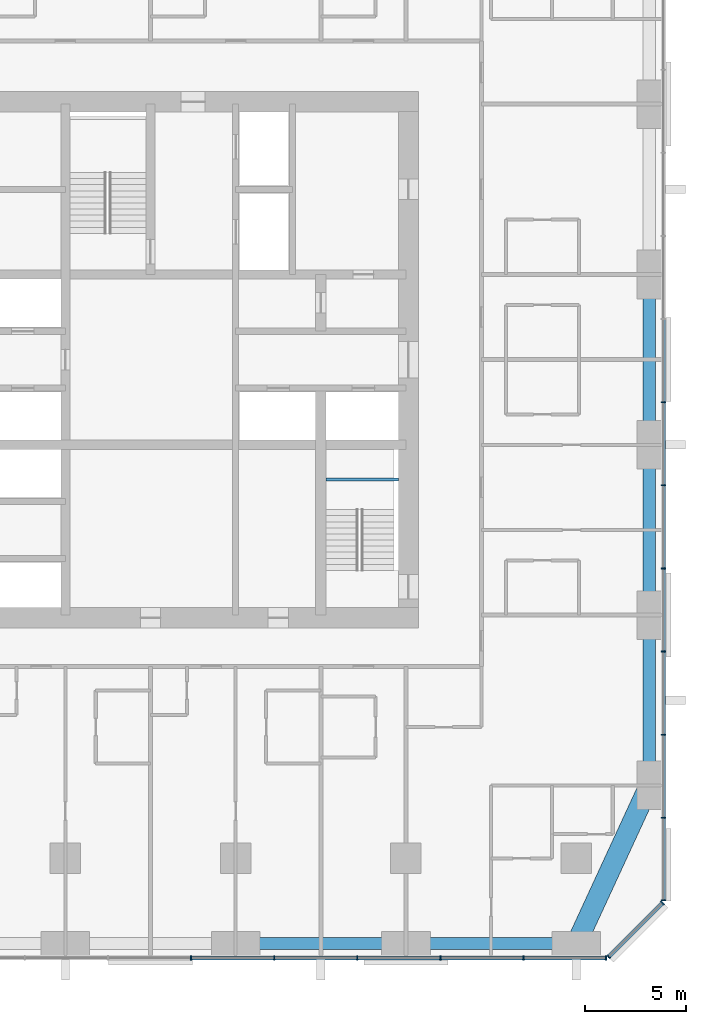
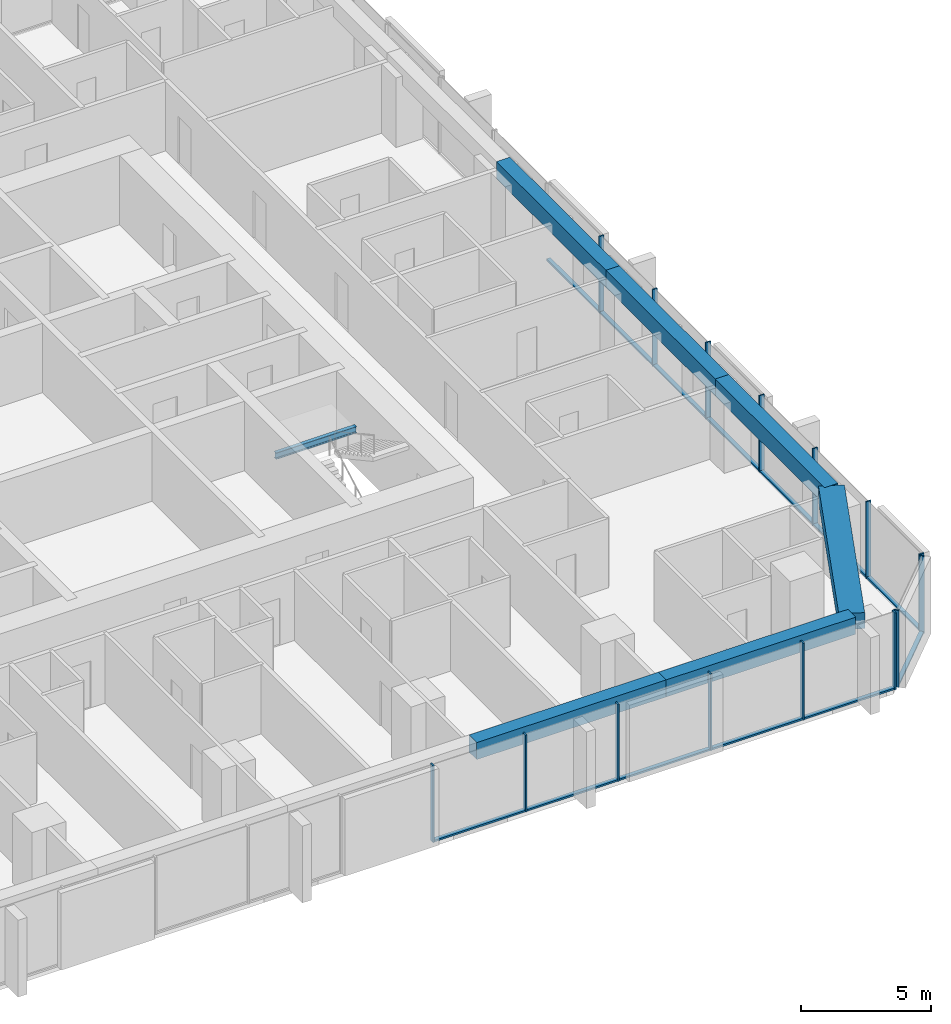
# One storey, part 4 of 14: 28 members, 7 beams, 3 elements without a shape of their own.
"""IFC4 building model written with IfcOpenShell, lengths in metres."""

from ifc_helpers import new_model, si_unit, direction, frame, origin, origin_2d, place, context, subcontext, project, spatial, rectangle, i_section, extrude, material, material_profile, profile_set, type_object, element, aggregate, save


model = new_model("IFC4")

# Units and contexts
model_context = context("Model", 3, precision=1e-05, world=origin(), true_north=direction((0.0, 1.0)))
body_context = subcontext(model_context, "Body", "Model", "MODEL_VIEW")
ifc_project = project(units=[si_unit("LENGTHUNIT", "METRE"), si_unit("AREAUNIT", "SQUARE_METRE"), si_unit("VOLUMEUNIT", "CUBIC_METRE"), si_unit("PLANEANGLEUNIT", "RADIAN"), si_unit("MASSUNIT", "GRAM", prefix="KILO")], contexts=[model_context])

# Site, building, storey
site_placement = place(None, origin())
site = spatial("IfcSite", under=ifc_project, at=site_placement, CompositionType="ELEMENT")
building_placement = place(site_placement, origin())
building = spatial("IfcBuilding", under=site, at=building_placement, Name="Dunama Terrace Hotel", CompositionType="ELEMENT")
storey_placement = place(building_placement, frame((0.0, 0.0, 136.800048828125)))
storey = spatial("IfcBuildingStorey", under=building, at=storey_placement, Name="L35", CompositionType="ELEMENT", Elevation=136.800048828125)

# Curtain wall, members
ifc_material_1 = material(Name="Aluminium curtain wall system", Category="aluminium")
curtain_wall_type = type_object("IfcCurtainWallType", Name="Unitised fritted glass wall CW-B", PredefinedType="NOTDEFINED", material=ifc_material_1)
curtain_wall_1_placement = place(storey_placement, origin())
curtain_wall_1 = element("IfcCurtainWall", 1, at=curtain_wall_1_placement, inside=storey, type_object=curtain_wall_type, Name="Unitised fritted glass wall CW-B L35", PredefinedType="NOTDEFINED")
ifc_material_2 = material(Name="Aluminium mullion", Category="aluminium")
ifc_material_profile_1 = material_profile(ifc_material_2, rectangle(XDim=0.06494140625, YDim=0.219970703125, at=origin_2d()), Name="CWB MULLION 65X220")
ifc_profile_set_1 = profile_set([ifc_material_profile_1], Name="Aluminium mullion")
member_type_1 = type_object("IfcMemberType", Name="CWB mullion 65x220", PredefinedType="MULLION", material=ifc_profile_set_1)
member_1_placement = place(storey_placement, frame((31.39990234375, -0.110107421875, 0.0), z_axis=(0.0, 0.0, 1.0), x_axis=(1.0, 0.0, 0.0)))
member_1 = element("IfcMember", 2, at=member_1_placement, type_object=member_type_1, Name="CWB mullion", PredefinedType="MULLION", context=body_context, shape_type="SweptSolid", body=[
    extrude(rectangle(XDim=0.06494140625, YDim=0.219970703125, at=origin_2d()), origin(), (0.0, 0.0, 1.0), 3.599853515625),
])
member_2_placement = place(storey_placement, frame((35.5, -0.110107421875, 0.0), z_axis=(0.0, 0.0, 1.0), x_axis=(1.0, 0.0, 0.0)))
member_2 = element("IfcMember", 3, at=member_2_placement, type_object=member_type_1, Name="CWB mullion", PredefinedType="MULLION", context=body_context, shape_type="SweptSolid", body=[
    extrude(rectangle(XDim=0.06494140625, YDim=0.219970703125, at=origin_2d()), origin(), (0.0, 0.0, 1.0), 3.599853515625),
])
member_3_placement = place(storey_placement, frame((39.60009765625, -0.110107421875, 0.0), z_axis=(0.0, 0.0, 1.0), x_axis=(1.0, 0.0, 0.0)))
member_3 = element("IfcMember", 4, at=member_3_placement, type_object=member_type_1, Name="CWB mullion", PredefinedType="MULLION", context=body_context, shape_type="SweptSolid", body=[
    extrude(rectangle(XDim=0.06494140625, YDim=0.219970703125, at=origin_2d()), origin(), (0.0, 0.0, 1.0), 3.599853515625),
])
member_4_placement = place(storey_placement, frame((43.699951171875, -0.110107421875, 0.0), z_axis=(0.0, 0.0, 1.0), x_axis=(1.0, 0.0, 0.0)))
member_4 = element("IfcMember", 5, at=member_4_placement, type_object=member_type_1, Name="CWB mullion", PredefinedType="MULLION", context=body_context, shape_type="SweptSolid", body=[
    extrude(rectangle(XDim=0.06494140625, YDim=0.219970703125, at=origin_2d()), origin(), (0.0, 0.0, 1.0), 3.599853515625),
])
member_5_placement = place(storey_placement, frame((47.800048828125, -0.110107421875, 0.0), z_axis=(0.0, 0.0, 1.0), x_axis=(1.0, 0.0, 0.0)))
member_5 = element("IfcMember", 6, at=member_5_placement, type_object=member_type_1, Name="CWB mullion", PredefinedType="MULLION", context=body_context, shape_type="SweptSolid", body=[
    extrude(rectangle(XDim=0.06494140625, YDim=0.219970703125, at=origin_2d()), origin(), (0.0, 0.0, 1.0), 3.599853515625),
])
member_6_placement = place(storey_placement, frame((51.866943359375, -0.110107421875, 0.0), z_axis=(0.0, 0.0, 1.0), x_axis=(1.0, 0.0, 0.0)))
member_6 = element("IfcMember", 7, at=member_6_placement, type_object=member_type_1, Name="CWB mullion", PredefinedType="MULLION", context=body_context, shape_type="SweptSolid", body=[
    extrude(rectangle(XDim=0.06494140625, YDim=0.219970703125, at=origin_2d()), origin(), (0.0, 0.0, 1.0), 3.599853515625),
])

curtain_wall_2_placement = place(storey_placement, origin())
curtain_wall_2 = element("IfcCurtainWall", 8, at=curtain_wall_2_placement, inside=storey, type_object=curtain_wall_type, Name="Unitised fritted glass wall CW-B L35", PredefinedType="NOTDEFINED")
member_7_placement = place(storey_placement, frame((52.0009765625, -0.054931640625, 0.0), z_axis=(0.0, 0.0, 1.0), x_axis=(0.707106781187, 0.707106781187, 0.0)))
member_7 = element("IfcMember", 9, at=member_7_placement, type_object=member_type_1, Name="CWB mullion", PredefinedType="MULLION", context=body_context, shape_type="SweptSolid", body=[
    extrude(rectangle(XDim=0.06494140625, YDim=0.219970703125, at=origin_2d()), origin(), (0.0, 0.0, 1.0), 3.599853515625),
])
member_8_placement = place(storey_placement, frame((54.655029296875, 2.59912109375, 0.0), z_axis=(0.0, 0.0, 1.0), x_axis=(0.707106781187, 0.707106781187, 0.0)))
member_8 = element("IfcMember", 10, at=member_8_placement, type_object=member_type_1, Name="CWB mullion", PredefinedType="MULLION", context=body_context, shape_type="SweptSolid", body=[
    extrude(rectangle(XDim=0.06494140625, YDim=0.219970703125, at=origin_2d()), origin(), (0.0, 0.0, 1.0), 3.599853515625),
])

curtain_wall_3_placement = place(storey_placement, origin())
curtain_wall_3 = element("IfcCurtainWall", 11, at=curtain_wall_3_placement, inside=storey, type_object=curtain_wall_type, Name="Unitised fritted glass wall CW-B L35", PredefinedType="NOTDEFINED")
member_9_placement = place(storey_placement, frame((54.7099609375, 2.73291015625, 0.0), z_axis=(0.0, 0.0, 1.0), x_axis=(0.0, 1.0, 0.0)))
member_9 = element("IfcMember", 12, at=member_9_placement, type_object=member_type_1, Name="CWB mullion", PredefinedType="MULLION", context=body_context, shape_type="SweptSolid", body=[
    extrude(rectangle(XDim=0.06494140625, YDim=0.219970703125, at=origin_2d()), origin(), (0.0, 0.0, 1.0), 3.599853515625),
])
member_10_placement = place(storey_placement, frame((54.7099609375, 6.800048828125, 0.0), z_axis=(0.0, 0.0, 1.0), x_axis=(0.0, 1.0, 0.0)))
member_10 = element("IfcMember", 13, at=member_10_placement, type_object=member_type_1, Name="CWB mullion", PredefinedType="MULLION", context=body_context, shape_type="SweptSolid", body=[
    extrude(rectangle(XDim=0.06494140625, YDim=0.219970703125, at=origin_2d()), origin(), (0.0, 0.0, 1.0), 3.599853515625),
])
member_11_placement = place(storey_placement, frame((54.7099609375, 10.89990234375, 0.0), z_axis=(0.0, 0.0, 1.0), x_axis=(0.0, 1.0, 0.0)))
member_11 = element("IfcMember", 14, at=member_11_placement, type_object=member_type_1, Name="CWB mullion", PredefinedType="MULLION", context=body_context, shape_type="SweptSolid", body=[
    extrude(rectangle(XDim=0.06494140625, YDim=0.219970703125, at=origin_2d()), origin(), (0.0, 0.0, 1.0), 3.599853515625),
])
member_12_placement = place(storey_placement, frame((54.7099609375, 15.0, 0.0), z_axis=(0.0, 0.0, 1.0), x_axis=(0.0, 1.0, 0.0)))
member_12 = element("IfcMember", 15, at=member_12_placement, type_object=member_type_1, Name="CWB mullion", PredefinedType="MULLION", context=body_context, shape_type="SweptSolid", body=[
    extrude(rectangle(XDim=0.06494140625, YDim=0.219970703125, at=origin_2d()), origin(), (0.0, 0.0, 1.0), 3.599853515625),
])
member_13_placement = place(storey_placement, frame((54.7099609375, 19.10009765625, 0.0), z_axis=(0.0, 0.0, 1.0), x_axis=(0.0, 1.0, 0.0)))
member_13 = element("IfcMember", 16, at=member_13_placement, type_object=member_type_1, Name="CWB mullion", PredefinedType="MULLION", context=body_context, shape_type="SweptSolid", body=[
    extrude(rectangle(XDim=0.06494140625, YDim=0.219970703125, at=origin_2d()), origin(), (0.0, 0.0, 1.0), 3.599853515625),
])
member_14_placement = place(storey_placement, frame((54.7099609375, 23.199951171875, 0.0), z_axis=(0.0, 0.0, 1.0), x_axis=(0.0, 1.0, 0.0)))
member_14 = element("IfcMember", 17, at=member_14_placement, type_object=member_type_1, Name="CWB mullion", PredefinedType="MULLION", context=body_context, shape_type="SweptSolid", body=[
    extrude(rectangle(XDim=0.06494140625, YDim=0.219970703125, at=origin_2d()), origin(), (0.0, 0.0, 1.0), 3.599853515625),
])
member_15_placement = place(storey_placement, frame((54.7099609375, 27.300048828125, 0.0), z_axis=(0.0, 0.0, 1.0), x_axis=(0.0, 1.0, 0.0)))
member_15 = element("IfcMember", 18, at=member_15_placement, type_object=member_type_1, Name="CWB mullion", PredefinedType="MULLION", context=body_context, shape_type="SweptSolid", body=[
    extrude(rectangle(XDim=0.06494140625, YDim=0.219970703125, at=origin_2d()), origin(), (0.0, 0.0, 1.0), 3.599853515625),
])

# Member
ifc_material_3 = material(Name="Aluminium transom", Category="aluminium")
ifc_material_profile_2 = material_profile(ifc_material_3, rectangle(XDim=0.179931640625, YDim=0.080078125, at=origin_2d()), Name="CWB TRANSOM 180X80")
ifc_profile_set_2 = profile_set([ifc_material_profile_2], Name="Aluminium transom")
member_type_2 = type_object("IfcMemberType", Name="CWB transom 180x80", PredefinedType="USERDEFINED", material=ifc_profile_set_2)
member_16_placement = place(storey_placement, frame((31.431884765625, -0.110107421875, 0.0400390625), z_axis=(1.0, 0.0, 0.0), x_axis=(0.0, 1.0, 0.0)))
member_16 = element("IfcMember", 19, at=member_16_placement, type_object=member_type_2, Name="CWB transom", ObjectType="TRANSOM", PredefinedType="USERDEFINED", context=body_context, shape_type="SweptSolid", body=[
    extrude(rectangle(XDim=0.179931640625, YDim=0.080078125, at=origin_2d()), origin(), (0.0, 0.0, 1.0), 4.0361328125),
])

member_17_placement = place(storey_placement, frame((35.531982421875, -0.110107421875, 0.0400390625), z_axis=(1.0, 0.0, 0.0), x_axis=(0.0, 1.0, 0.0)))
member_17 = element("IfcMember", 20, at=member_17_placement, type_object=member_type_2, Name="CWB transom", ObjectType="TRANSOM", PredefinedType="USERDEFINED", context=body_context, shape_type="SweptSolid", body=[
    extrude(rectangle(XDim=0.179931640625, YDim=0.080078125, at=origin_2d()), origin(), (0.0, 0.0, 1.0), 4.0361328125),
])

member_18_placement = place(storey_placement, frame((39.633056640625, -0.110107421875, 0.0400390625), z_axis=(1.0, 0.0, 0.0), x_axis=(0.0, 1.0, 0.0)))
member_18 = element("IfcMember", 21, at=member_18_placement, type_object=member_type_2, Name="CWB transom", ObjectType="TRANSOM", PredefinedType="USERDEFINED", context=body_context, shape_type="SweptSolid", body=[
    extrude(rectangle(XDim=0.179931640625, YDim=0.080078125, at=origin_2d()), origin(), (0.0, 0.0, 1.0), 4.034912109375),
])

member_19_placement = place(storey_placement, frame((43.73291015625, -0.110107421875, 0.0400390625), z_axis=(1.0, 0.0, 0.0), x_axis=(0.0, 1.0, 0.0)))
member_19 = element("IfcMember", 22, at=member_19_placement, type_object=member_type_2, Name="CWB transom", ObjectType="TRANSOM", PredefinedType="USERDEFINED", context=body_context, shape_type="SweptSolid", body=[
    extrude(rectangle(XDim=0.179931640625, YDim=0.080078125, at=origin_2d()), origin(), (0.0, 0.0, 1.0), 4.0341796875),
])

member_20_placement = place(storey_placement, frame((47.83203125, -0.110107421875, 0.0400390625), z_axis=(1.0, 0.0, 0.0), x_axis=(0.0, 1.0, 0.0)))
member_20 = element("IfcMember", 23, at=member_20_placement, type_object=member_type_2, Name="CWB transom", ObjectType="TRANSOM", PredefinedType="USERDEFINED", context=body_context, shape_type="SweptSolid", body=[
    extrude(rectangle(XDim=0.179931640625, YDim=0.080078125, at=origin_2d()), origin(), (0.0, 0.0, 1.0), 4.0029296875),
])

aggregate(curtain_wall_1, [member_1, member_2, member_3, member_4, member_5, member_6, member_16, member_17, member_18, member_19, member_20])

member_21_placement = place(storey_placement, frame((52.02392578125, -0.031982421875, 0.0400390625), z_axis=(0.707139876915, 0.707073683909, 0.0), x_axis=(-0.707073683909, 0.707139876915, 0.0)))
member_21 = element("IfcMember", 24, at=member_21_placement, type_object=member_type_2, Name="CWB transom", ObjectType="TRANSOM", PredefinedType="USERDEFINED", context=body_context, shape_type="SweptSolid", body=[
    extrude(rectangle(XDim=0.179931640625, YDim=0.080078125, at=origin_2d()), origin(), (0.0, 0.0, 1.0), 3.688232421875),
])

aggregate(curtain_wall_2, [member_7, member_8, member_21])

member_22_placement = place(storey_placement, frame((54.7099609375, 2.764892578125, 0.0400390625), z_axis=(0.0, 1.0, 0.0), x_axis=(-1.0, 0.0, 0.0)))
member_22 = element("IfcMember", 25, at=member_22_placement, type_object=member_type_2, Name="CWB transom", ObjectType="TRANSOM", PredefinedType="USERDEFINED", context=body_context, shape_type="SweptSolid", body=[
    extrude(rectangle(XDim=0.179931640625, YDim=0.080078125, at=origin_2d()), origin(), (0.0, 0.0, 1.0), 4.003173828125),
])

member_23_placement = place(storey_placement, frame((54.7099609375, 6.83203125, 0.0400390625), z_axis=(0.0, 1.0, 0.0), x_axis=(-1.0, 0.0, 0.0)))
member_23 = element("IfcMember", 26, at=member_23_placement, type_object=member_type_2, Name="CWB transom", ObjectType="TRANSOM", PredefinedType="USERDEFINED", context=body_context, shape_type="SweptSolid", body=[
    extrude(rectangle(XDim=0.179931640625, YDim=0.080078125, at=origin_2d()), origin(), (0.0, 0.0, 1.0), 4.034912109375),
])

member_24_placement = place(storey_placement, frame((54.7099609375, 10.93310546875, 0.0400390625), z_axis=(0.0, 1.0, 0.0), x_axis=(-1.0, 0.0, 0.0)))
member_24 = element("IfcMember", 27, at=member_24_placement, type_object=member_type_2, Name="CWB transom", ObjectType="TRANSOM", PredefinedType="USERDEFINED", context=body_context, shape_type="SweptSolid", body=[
    extrude(rectangle(XDim=0.179931640625, YDim=0.080078125, at=origin_2d()), origin(), (0.0, 0.0, 1.0), 4.033935546875),
])

member_25_placement = place(storey_placement, frame((54.7099609375, 15.031982421875, 0.0400390625), z_axis=(0.0, 1.0, 0.0), x_axis=(-1.0, 0.0, 0.0)))
member_25 = element("IfcMember", 28, at=member_25_placement, type_object=member_type_2, Name="CWB transom", ObjectType="TRANSOM", PredefinedType="USERDEFINED", context=body_context, shape_type="SweptSolid", body=[
    extrude(rectangle(XDim=0.179931640625, YDim=0.080078125, at=origin_2d()), origin(), (0.0, 0.0, 1.0), 4.034912109375),
])

member_26_placement = place(storey_placement, frame((54.7099609375, 19.132080078125, 0.0400390625), z_axis=(0.0, 1.0, 0.0), x_axis=(-1.0, 0.0, 0.0)))
member_26 = element("IfcMember", 29, at=member_26_placement, type_object=member_type_2, Name="CWB transom", ObjectType="TRANSOM", PredefinedType="USERDEFINED", context=body_context, shape_type="SweptSolid", body=[
    extrude(rectangle(XDim=0.179931640625, YDim=0.080078125, at=origin_2d()), origin(), (0.0, 0.0, 1.0), 4.035888671875),
])

member_27_placement = place(storey_placement, frame((54.7099609375, 23.23193359375, 0.0400390625), z_axis=(0.0, 1.0, 0.0), x_axis=(-1.0, 0.0, 0.0)))
member_27 = element("IfcMember", 30, at=member_27_placement, type_object=member_type_2, Name="CWB transom", ObjectType="TRANSOM", PredefinedType="USERDEFINED", context=body_context, shape_type="SweptSolid", body=[
    extrude(rectangle(XDim=0.179931640625, YDim=0.080078125, at=origin_2d()), origin(), (0.0, 0.0, 1.0), 4.03515625),
])

member_28_placement = place(storey_placement, frame((54.7099609375, 27.33203125, 0.0400390625), z_axis=(0.0, 1.0, 0.0), x_axis=(-1.0, 0.0, 0.0)))
member_28 = element("IfcMember", 31, at=member_28_placement, type_object=member_type_2, Name="CWB transom", ObjectType="TRANSOM", PredefinedType="USERDEFINED", context=body_context, shape_type="SweptSolid", body=[
    extrude(rectangle(XDim=0.179931640625, YDim=0.080078125, at=origin_2d()), origin(), (0.0, 0.0, 1.0), 4.034912109375),
])

aggregate(curtain_wall_3, [member_9, member_10, member_11, member_12, member_13, member_14, member_15, member_22, member_23, member_24, member_25, member_26, member_27, member_28])

# Beams
ifc_material_4 = material(Name="Concrete C50/60", Category="concrete")
ifc_material_profile_3 = material_profile(ifc_material_4, rectangle(XDim=1.0, YDim=0.75, at=origin_2d()), Name="RC 1000x750")
ifc_profile_set_3 = profile_set([ifc_material_profile_3], Name="Concrete C50/60")
beam_type_1 = type_object("IfcBeamType", Name="Edge beam RC 1000x750", PredefinedType="SPANDREL", material=ifc_profile_set_3)
beam_1_placement = place(storey_placement, frame((50.39990234375, 0.60009765625, 3.224853515625), z_axis=(0.419076199598, 0.907951066374, 0.0), x_axis=(-0.907951066374, 0.419076199598, 0.0)))
element("IfcBeam", 32, at=beam_1_placement, inside=storey, type_object=beam_type_1, Name="Corner edge beam under L36", PredefinedType="SPANDREL", context=body_context, shape_type="SweptSolid", body=[
    extrude(rectangle(XDim=1.0, YDim=0.75, at=origin_2d()), origin(), (0.0, 0.0, 1.0), 8.590576171875),
])
ifc_material_5 = material(Name="Concrete C40/50", Category="concrete")
ifc_material_profile_4 = material_profile(ifc_material_5, rectangle(XDim=0.60009765625, YDim=0.800048828125, at=origin_2d()), Name="RC 600x800")
ifc_profile_set_4 = profile_set([ifc_material_profile_4], Name="Concrete C40/50")
beam_type_2 = type_object("IfcBeamType", Name="Edge beam RC 600x800", PredefinedType="SPANDREL", material=ifc_profile_set_4)
beam_2_placement = place(storey_placement, frame((54.0, 8.39990234375, 3.199951171875), z_axis=(0.0, 1.0, 0.0), x_axis=(-1.0, 0.0, 0.0)))
element("IfcBeam", 33, at=beam_2_placement, inside=storey, type_object=beam_type_2, Name="Edge beam under L36", PredefinedType="SPANDREL", context=body_context, shape_type="SweptSolid", body=[
    extrude(rectangle(XDim=0.60009765625, YDim=0.800048828125, at=origin_2d()), origin(), (0.0, 0.0, 1.0), 8.400146484375),
])
beam_3_placement = place(storey_placement, frame((54.0, 16.800048828125, 3.199951171875), z_axis=(0.0, 1.0, 0.0), x_axis=(-1.0, 0.0, 0.0)))
element("IfcBeam", 34, at=beam_3_placement, inside=storey, type_object=beam_type_2, Name="Edge beam under L36", PredefinedType="SPANDREL", context=body_context, shape_type="SweptSolid", body=[
    extrude(rectangle(XDim=0.60009765625, YDim=0.800048828125, at=origin_2d()), origin(), (0.0, 0.0, 1.0), 8.39990234375),
])
beam_4_placement = place(storey_placement, frame((54.0, 25.199951171875, 3.199951171875), z_axis=(0.0, 1.0, 0.0), x_axis=(-1.0, 0.0, 0.0)))
element("IfcBeam", 35, at=beam_4_placement, inside=storey, type_object=beam_type_2, Name="Edge beam under L36", PredefinedType="SPANDREL", context=body_context, shape_type="SweptSolid", body=[
    extrude(rectangle(XDim=0.60009765625, YDim=0.800048828125, at=origin_2d()), origin(), (0.0, 0.0, 1.0), 8.400146484375),
])
for number, where, z_axis, x_axis, name in (
    (36, (33.60009765625, 0.60009765625, 3.199951171875), (1.0, 0.0, 0.0), (0.0, 1.0, 0.0), "Edge beam under L36"),
    (37, (42.0, 0.60009765625, 3.199951171875), (1.0, 0.0, 0.0), (0.0, 1.0, 0.0), "Edge beam under L36"),
):
    element("IfcBeam", number, at=place(storey_placement, frame(where, z_axis=z_axis, x_axis=x_axis)), inside=storey, type_object=beam_type_2, Name=name, PredefinedType="SPANDREL", context=body_context, shape_type="SweptSolid", body=[
        extrude(rectangle(XDim=0.60009765625, YDim=0.800048828125, at=origin_2d()), origin(), (0.0, 0.0, 1.0), 8.39990234375),
    ])
ifc_material_6 = material(Name="Steel S355", Category="steel")
ifc_material_profile_5 = material_profile(ifc_material_6, i_section(OverallWidth=0.1650390625, OverallDepth=0.303466796875, WebThickness=0.006103515625, FlangeThickness=0.01025390625, FilletRadius=0.0087890625, at=origin_2d()), Name="UB 305x165x40")
ifc_profile_set_5 = profile_set([ifc_material_profile_5], Name="Steel S355")
beam_type_3 = type_object("IfcBeamType", Name="Stair beam UB 305x165x40", PredefinedType="BEAM", material=ifc_profile_set_5)
beam_5_placement = place(storey_placement, frame((38.050048828125, 23.487548828125, 1.4482421875), z_axis=(1.0, 0.0, 0.0), x_axis=(0.0, 1.0, 0.0)))
element("IfcBeam", 38, at=beam_5_placement, inside=storey, type_object=beam_type_3, Name="Stair landing beam ST2 L35", PredefinedType="BEAM", context=body_context, shape_type="SweptSolid", body=[
    extrude(i_section(OverallWidth=0.1650390625, OverallDepth=0.303466796875, WebThickness=0.006103515625, FlangeThickness=0.01025390625, FilletRadius=0.0087890625, at=origin_2d()), origin(), (0.0, 0.0, 1.0), 3.574951171875),
])

save(model, "model.ifc")
